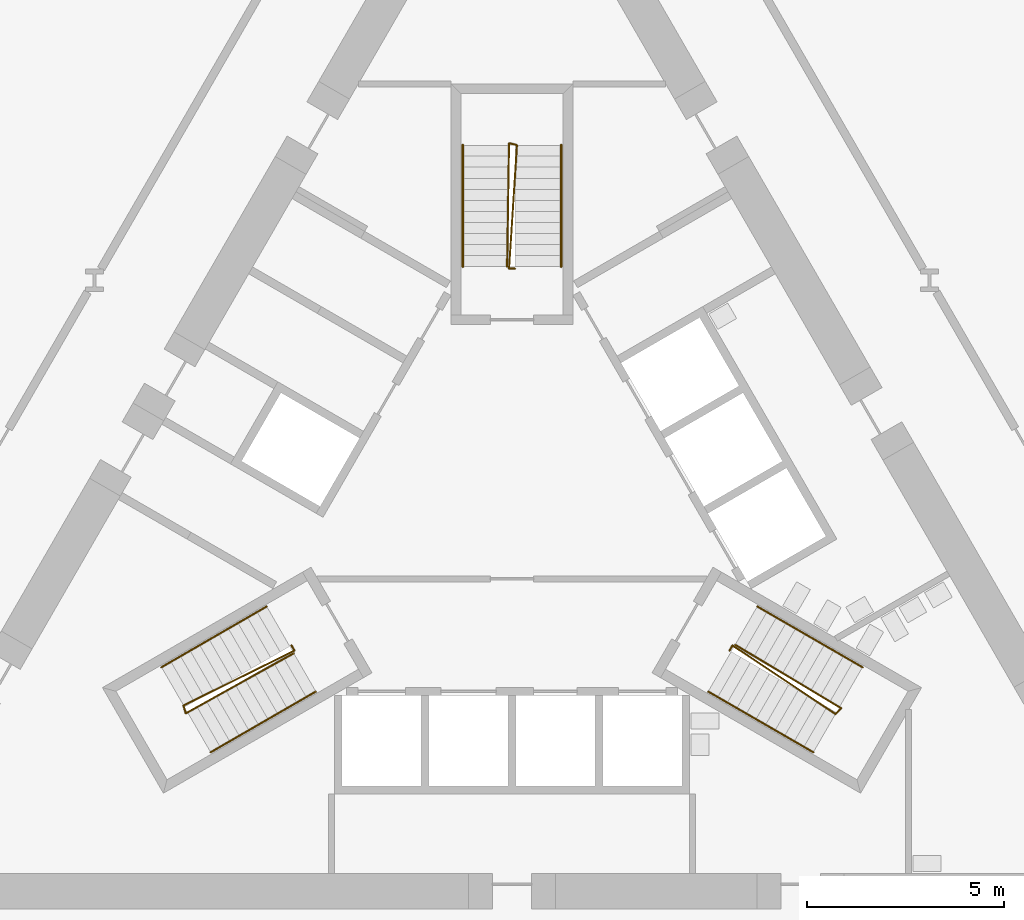
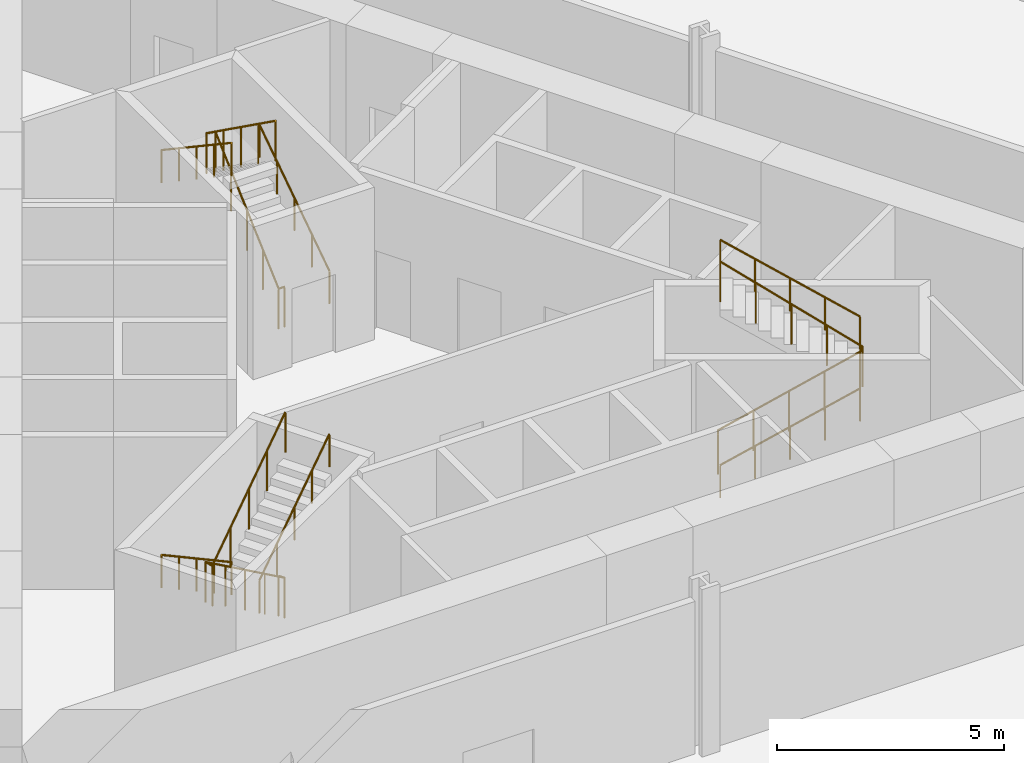
# One storey, part 6 of 8: 9 railings.
"""IFC4 building model written with IfcOpenShell, lengths in metres."""

from ifc_helpers import new_model, si_unit, direction, frame, origin, origin_2d, place, context, subcontext, project, spatial, circle, extrude, material, type_object, element, save


model = new_model("IFC4")

# Units and contexts
model_context = context("Model", 3, precision=1e-05, world=origin(), true_north=direction((0.0, 1.0)))
body_context = subcontext(model_context, "Body", "Model", "MODEL_VIEW")
ifc_project = project(units=[si_unit("LENGTHUNIT", "METRE"), si_unit("AREAUNIT", "SQUARE_METRE"), si_unit("VOLUMEUNIT", "CUBIC_METRE"), si_unit("PLANEANGLEUNIT", "RADIAN"), si_unit("MASSUNIT", "GRAM", prefix="KILO")], contexts=[model_context])

# Site, building, storey
site_placement = place(None, origin())
site = spatial("IfcSite", under=ifc_project, at=site_placement, CompositionType="ELEMENT")
building_placement = place(site_placement, origin())
building = spatial("IfcBuilding", under=site, at=building_placement, Name="Cormorant Prow Tower", CompositionType="ELEMENT")
storey_placement = place(building_placement, frame((0.0, 0.0, 25.5)))
storey = spatial("IfcBuildingStorey", under=building, at=storey_placement, Name="L04", CompositionType="ELEMENT", Elevation=25.5)

# Railings
ifc_material_1 = material(Name="Stainless steel", Category="steel")
railing_type_1 = type_object("IfcRailingType", Name="Stair guard 1100", PredefinedType="GUARDRAIL", material=ifc_material_1)
railing_1_placement = place(storey_placement, frame((-5.585205078125, -3.137939453125, 0.0)))
element("IfcRailing", 1, at=railing_1_placement, inside=storey, type_object=railing_type_1, Name="L04 ST1 stair guard 1", PredefinedType="GUARDRAIL", context=body_context, shape_type="SweptSolid", body=[
    extrude(circle(Radius=0.02392578125, at=origin_2d()), frame((0.0, 0.0, 1.076171875), z_axis=(0.501036270542, -0.865426285481, 0.0), x_axis=(0.865426285481, 0.501036270542, 0.0)), (0.0, 0.0, 1.0), 0.150146484375),
    extrude(circle(Radius=0.02392578125, at=origin_2d()), frame((0.0751953125, -0.1298828125, 1.076171875), z_axis=(-0.728167570244, -0.360573553197, 0.582888241758), x_axis=(0.443754251299, -0.896148516963, 0.0)), (0.0, 0.0, 1.0), 3.860107421875),
    extrude(circle(Radius=0.02392578125, at=origin_2d()), frame((-2.735595703125, -1.521728515625, 3.326171875), z_axis=(0.274721127897, -0.961523947641, 0.0), x_axis=(0.961523947641, 0.274721127897, 0.0)), (0.0, 0.0, 1.0), 0.2060546875),
    extrude(circle(Radius=0.02392578125, at=origin_2d()), frame((-2.678955078125, -1.719970703125, 3.326171875), z_axis=(0.709639469461, 0.394715582112, 0.583619253128), x_axis=(-0.486086505765, 0.873910698477, 0.0)), (0.0, 0.0, 1.0), 3.855224609375),
    extrude(circle(Radius=0.02099609375, at=origin_2d()), origin(), (0.0, 0.0, 1.0), 1.052001953125),
    extrude(circle(Radius=0.02099609375, at=origin_2d()), frame((0.0751953125, -0.1298828125, 0.0)), (0.0, 0.0, 1.0), 1.052001953125),
    extrude(circle(Radius=0.02099609375, at=origin_2d()), frame((-0.62744140625, -0.477783203125, 0.5625)), (0.0, 0.0, 1.0), 1.052001953125),
    extrude(circle(Radius=0.02099609375, at=origin_2d()), frame((-1.330078125, -0.82568359375, 1.125)), (0.0, 0.0, 1.0), 1.052001953125),
    extrude(circle(Radius=0.02099609375, at=origin_2d()), frame((-2.032958984375, -1.173828125, 1.6875)), (0.0, 0.0, 1.0), 1.052001953125),
    extrude(circle(Radius=0.02099609375, at=origin_2d()), frame((-2.735595703125, -1.521728515625, 2.25)), (0.0, 0.0, 1.0), 1.052001953125),
    extrude(circle(Radius=0.02099609375, at=origin_2d()), frame((-2.678955078125, -1.719970703125, 2.25)), (0.0, 0.0, 1.0), 1.052001953125),
    extrude(circle(Radius=0.02099609375, at=origin_2d()), frame((-1.9951171875, -1.339599609375, 2.8125)), (0.0, 0.0, 1.0), 1.052001953125),
    extrude(circle(Radius=0.02099609375, at=origin_2d()), frame((-1.31103515625, -0.958984375, 3.375)), (0.0, 0.0, 1.0), 1.052001953125),
    extrude(circle(Radius=0.02099609375, at=origin_2d()), frame((-0.626953125, -0.57861328125, 3.9375)), (0.0, 0.0, 1.0), 1.052001953125),
    extrude(circle(Radius=0.02099609375, at=origin_2d()), frame((0.056884765625, -0.1982421875, 4.5)), (0.0, 0.0, 1.0), 1.052001953125),
])
railing_2_placement = place(storey_placement, frame((5.510009765625, -3.267822265625, 0.0)))
element("IfcRailing", 2, at=railing_2_placement, inside=storey, type_object=railing_type_1, Name="L04 ST2 stair guard 1", PredefinedType="GUARDRAIL", context=body_context, shape_type="SweptSolid", body=[
    extrude(circle(Radius=0.02392578125, at=origin_2d()), frame((0.0, 0.0, 1.076171875), z_axis=(0.501036270542, 0.865426285481, 0.0), x_axis=(-0.865426285481, 0.501036270542, 0.0)), (0.0, 0.0, 1.0), 0.150146484375),
    extrude(circle(Radius=0.02392578125, at=origin_2d()), frame((0.0751953125, 0.1298828125, 1.076171875), z_axis=(0.676326221345, -0.450335985783, 0.582906804069), x_axis=(0.554233058506, 0.832361530141, 0.0)), (0.0, 0.0, 1.0), 3.85986328125),
    extrude(circle(Radius=0.02392578125, at=origin_2d()), frame((2.685791015625, -1.6083984375, 3.326171875), z_axis=(0.695164929852, 0.718850276695, 0.0), x_axis=(-0.718850276695, 0.695164929852, 0.0)), (0.0, 0.0, 1.0), 0.2060546875),
    extrude(circle(Radius=0.02392578125, at=origin_2d()), frame((2.8291015625, -1.460205078125, 3.326171875), z_axis=(-0.696658856337, 0.417197395286, 0.583620399964), x_axis=(-0.513773053629, -0.857926132814, 0.0)), (0.0, 0.0, 1.0), 3.855224609375),
    extrude(circle(Radius=0.02099609375, at=origin_2d()), origin(), (0.0, 0.0, 1.0), 1.052001953125),
    extrude(circle(Radius=0.02099609375, at=origin_2d()), frame((0.0751953125, 0.1298828125, 0.0)), (0.0, 0.0, 1.0), 1.052001953125),
    extrude(circle(Radius=0.02099609375, at=origin_2d()), frame((0.727783203125, -0.3046875, 0.5625)), (0.0, 0.0, 1.0), 1.052001953125),
    extrude(circle(Radius=0.02099609375, at=origin_2d()), frame((1.38037109375, -0.7392578125, 1.125)), (0.0, 0.0, 1.0), 1.052001953125),
    extrude(circle(Radius=0.02099609375, at=origin_2d()), frame((2.033203125, -1.173828125, 1.6875)), (0.0, 0.0, 1.0), 1.052001953125),
    extrude(circle(Radius=0.02099609375, at=origin_2d()), frame((2.685791015625, -1.6083984375, 2.25)), (0.0, 0.0, 1.0), 1.052001953125),
    extrude(circle(Radius=0.02099609375, at=origin_2d()), frame((2.8291015625, -1.460205078125, 2.25)), (0.0, 0.0, 1.0), 1.052001953125),
    extrude(circle(Radius=0.02099609375, at=origin_2d()), frame((2.15771484375, -1.05810546875, 2.8125)), (0.0, 0.0, 1.0), 1.052001953125),
    extrude(circle(Radius=0.02099609375, at=origin_2d()), frame((1.486328125, -0.656005859375, 3.375)), (0.0, 0.0, 1.0), 1.052001953125),
    extrude(circle(Radius=0.02099609375, at=origin_2d()), frame((0.814697265625, -0.25390625, 3.9375)), (0.0, 0.0, 1.0), 1.052001953125),
    extrude(circle(Radius=0.02099609375, at=origin_2d()), frame((0.143310546875, 0.148193359375, 4.5)), (0.0, 0.0, 1.0), 1.052001953125),
])
railing_3_placement = place(storey_placement, frame((0.074951171875, 6.40576171875, 0.0)))
element("IfcRailing", 3, at=railing_3_placement, inside=storey, type_object=railing_type_1, Name="L04 ST3 stair guard 1", PredefinedType="GUARDRAIL", context=body_context, shape_type="SweptSolid", body=[
    extrude(circle(Radius=0.02392578125, at=origin_2d()), frame((0.0, 0.0, 1.076171875), z_axis=(-1.0, 0.0, 0.0), x_axis=(0.0, -1.0, 0.0)), (0.0, 0.0, 1.0), 0.14990234375),
    extrude(circle(Radius=0.02392578125, at=origin_2d()), frame((-0.14990234375, 0.0, 1.076171875), z_axis=(0.051799821847, 0.810898065816, 0.582890302984), x_axis=(-0.997965923181, 0.063749636618, 0.0)), (0.0, 0.0, 1.0), 3.860107421875),
    extrude(circle(Radius=0.02392578125, at=origin_2d()), frame((0.050048828125, 3.130126953125, 3.326171875), z_axis=(-0.970072785993, 0.242814311512, 0.0), x_axis=(-0.242814311512, -0.970072785993, 0.0)), (0.0, 0.0, 1.0), 0.2060546875),
    extrude(circle(Radius=0.02392578125, at=origin_2d()), frame((-0.14990234375, 3.18017578125, 3.326171875), z_axis=(-0.012982103363, -0.81191974253, 0.583624705339), x_axis=(0.999872194171, -0.015987348866, 0.0)), (0.0, 0.0, 1.0), 3.855224609375),
    extrude(circle(Radius=0.02099609375, at=origin_2d()), origin(), (0.0, 0.0, 1.0), 1.052001953125),
    extrude(circle(Radius=0.02099609375, at=origin_2d()), frame((-0.14990234375, 0.0, 0.0)), (0.0, 0.0, 1.0), 1.052001953125),
    extrude(circle(Radius=0.02099609375, at=origin_2d()), frame((-0.099853515625, 0.782470703125, 0.5625)), (0.0, 0.0, 1.0), 1.052001953125),
    extrude(circle(Radius=0.02099609375, at=origin_2d()), frame((-0.0498046875, 1.56494140625, 1.125)), (0.0, 0.0, 1.0), 1.052001953125),
    extrude(circle(Radius=0.02099609375, at=origin_2d()), frame((0.0, 2.34765625, 1.6875)), (0.0, 0.0, 1.0), 1.052001953125),
    extrude(circle(Radius=0.02099609375, at=origin_2d()), frame((0.050048828125, 3.130126953125, 2.25)), (0.0, 0.0, 1.0), 1.052001953125),
    extrude(circle(Radius=0.02099609375, at=origin_2d()), frame((-0.14990234375, 3.18017578125, 2.25)), (0.0, 0.0, 1.0), 1.052001953125),
    extrude(circle(Radius=0.02099609375, at=origin_2d()), frame((-0.162353515625, 2.397705078125, 2.8125)), (0.0, 0.0, 1.0), 1.052001953125),
    extrude(circle(Radius=0.02099609375, at=origin_2d()), frame((-0.1748046875, 1.615234375, 3.375)), (0.0, 0.0, 1.0), 1.052001953125),
    extrude(circle(Radius=0.02099609375, at=origin_2d()), frame((-0.1875, 0.83251953125, 3.9375)), (0.0, 0.0, 1.0), 1.052001953125),
    extrude(circle(Radius=0.02099609375, at=origin_2d()), frame((-0.199951171875, 0.050048828125, 4.5)), (0.0, 0.0, 1.0), 1.052001953125),
])
ifc_material_2 = material(Name="Stainless steel", Category="steel")
railing_type_2 = type_object("IfcRailingType", Name="Stair handrail 900", PredefinedType="HANDRAIL", material=ifc_material_2)
railing_4_placement = place(storey_placement, frame((-6.212890625, -2.150634765625, 0.1875)))
element("IfcRailing", 4, at=railing_4_placement, inside=storey, type_object=railing_type_2, Name="L04 ST1 stair handrail 1", PredefinedType="HANDRAIL", context=body_context, shape_type="SweptSolid", body=[
    extrude(circle(Radius=0.02392578125, at=origin_2d()), frame((0.0, 0.0, 0.8759765625), z_axis=(-0.719599472079, -0.415452450108, 0.55639541828), x_axis=(0.499992328818, -0.866029832698, 0.0)), (0.0, 0.0, 1.0), 3.706787109375),
    extrude(circle(Radius=0.02099609375, at=origin_2d()), origin(), (0.0, 0.0, 1.0), 0.851806640625),
    extrude(circle(Radius=0.02099609375, at=origin_2d()), frame((-0.6669921875, -0.385009765625, 0.515625)), (0.0, 0.0, 1.0), 0.851806640625),
    extrude(circle(Radius=0.02099609375, at=origin_2d()), frame((-1.333740234375, -0.77001953125, 1.03125)), (0.0, 0.0, 1.0), 0.851806640625),
    extrude(circle(Radius=0.02099609375, at=origin_2d()), frame((-2.00048828125, -1.155029296875, 1.546875)), (0.0, 0.0, 1.0), 0.851806640625),
    extrude(circle(Radius=0.02099609375, at=origin_2d()), frame((-2.66748046875, -1.5400390625, 2.0625)), (0.0, 0.0, 1.0), 0.851806640625),
])
railing_5_placement = place(storey_placement, frame((-7.63623046875, -5.84521484375, 2.4375)))
element("IfcRailing", 5, at=railing_5_placement, inside=storey, type_object=railing_type_2, Name="L04 ST1 stair handrail 2", PredefinedType="HANDRAIL", context=body_context, shape_type="SweptSolid", body=[
    extrude(circle(Radius=0.02392578125, at=origin_2d()), frame((0.0, 0.0, 0.8759765625), z_axis=(0.719567713092, 0.415472140429, 0.556421788577), x_axis=(-0.500026652407, 0.866010015463, 0.0)), (0.0, 0.0, 1.0), 3.706787109375),
    extrude(circle(Radius=0.02099609375, at=origin_2d()), origin(), (0.0, 0.0, 1.0), 0.851806640625),
    extrude(circle(Radius=0.02099609375, at=origin_2d()), frame((0.666748046875, 0.385009765625, 0.515625)), (0.0, 0.0, 1.0), 0.851806640625),
    extrude(circle(Radius=0.02099609375, at=origin_2d()), frame((1.33349609375, 0.77001953125, 1.03125)), (0.0, 0.0, 1.0), 0.851806640625),
    extrude(circle(Radius=0.02099609375, at=origin_2d()), frame((2.00048828125, 1.155029296875, 1.546875)), (0.0, 0.0, 1.0), 0.851806640625),
    extrude(circle(Radius=0.02099609375, at=origin_2d()), frame((2.667236328125, 1.5400390625, 2.0625)), (0.0, 0.0, 1.0), 0.851806640625),
])
railing_6_placement = place(storey_placement, frame((4.968994140625, -4.30517578125, 0.1875)))
element("IfcRailing", 6, at=railing_6_placement, inside=storey, type_object=railing_type_2, Name="L04 ST2 stair handrail 1", PredefinedType="HANDRAIL", context=body_context, shape_type="SweptSolid", body=[
    extrude(circle(Radius=0.02392578125, at=origin_2d()), frame((0.0, 0.0, 0.8759765625), z_axis=(0.719567713092, -0.415472140429, 0.556421788577), x_axis=(0.500026652407, 0.866010015463, 0.0)), (0.0, 0.0, 1.0), 3.706787109375),
    extrude(circle(Radius=0.02099609375, at=origin_2d()), origin(), (0.0, 0.0, 1.0), 0.851806640625),
    extrude(circle(Radius=0.02099609375, at=origin_2d()), frame((0.666748046875, -0.385009765625, 0.515625)), (0.0, 0.0, 1.0), 0.851806640625),
    extrude(circle(Radius=0.02099609375, at=origin_2d()), frame((1.33349609375, -0.77001953125, 1.03125)), (0.0, 0.0, 1.0), 0.851806640625),
    extrude(circle(Radius=0.02099609375, at=origin_2d()), frame((2.00048828125, -1.155029296875, 1.546875)), (0.0, 0.0, 1.0), 0.851806640625),
    extrude(circle(Radius=0.02099609375, at=origin_2d()), frame((2.667236328125, -1.5400390625, 2.0625)), (0.0, 0.0, 1.0), 0.851806640625),
])
railing_7_placement = place(storey_placement, frame((8.88037109375, -3.690673828125, 2.4375)))
element("IfcRailing", 7, at=railing_7_placement, inside=storey, type_object=railing_type_2, Name="L04 ST2 stair handrail 2", PredefinedType="HANDRAIL", context=body_context, shape_type="SweptSolid", body=[
    extrude(circle(Radius=0.02392578125, at=origin_2d()), frame((0.0, 0.0, 0.8759765625), z_axis=(-0.719599472079, 0.415452450108, 0.55639541828), x_axis=(-0.499992328818, -0.866029832698, 0.0)), (0.0, 0.0, 1.0), 3.706787109375),
    extrude(circle(Radius=0.02099609375, at=origin_2d()), origin(), (0.0, 0.0, 1.0), 0.851806640625),
    extrude(circle(Radius=0.02099609375, at=origin_2d()), frame((-0.6669921875, 0.385009765625, 0.515625)), (0.0, 0.0, 1.0), 0.851806640625),
    extrude(circle(Radius=0.02099609375, at=origin_2d()), frame((-1.333740234375, 0.77001953125, 1.03125)), (0.0, 0.0, 1.0), 0.851806640625),
    extrude(circle(Radius=0.02099609375, at=origin_2d()), frame((-2.00048828125, 1.155029296875, 1.546875)), (0.0, 0.0, 1.0), 0.851806640625),
    extrude(circle(Radius=0.02099609375, at=origin_2d()), frame((-2.66748046875, 1.5400390625, 2.0625)), (0.0, 0.0, 1.0), 0.851806640625),
])
railing_8_placement = place(storey_placement, frame((1.243896484375, 6.455810546875, 0.1875)))
element("IfcRailing", 8, at=railing_8_placement, inside=storey, type_object=railing_type_2, Name="L04 ST3 stair handrail 1", PredefinedType="HANDRAIL", context=body_context, shape_type="SweptSolid", body=[
    extrude(circle(Radius=0.02392578125, at=origin_2d()), frame((0.0, 0.0, 0.8759765625), z_axis=(0.0, 0.830913701846, 0.55640131208), x_axis=(-1.0, 0.0, 0.0)), (0.0, 0.0, 1.0), 3.706787109375),
    extrude(circle(Radius=0.02099609375, at=origin_2d()), origin(), (0.0, 0.0, 1.0), 0.851806640625),
    extrude(circle(Radius=0.02099609375, at=origin_2d()), frame((0.0, 0.77001953125, 0.515625)), (0.0, 0.0, 1.0), 0.851806640625),
    extrude(circle(Radius=0.02099609375, at=origin_2d()), frame((0.0, 1.5400390625, 1.03125)), (0.0, 0.0, 1.0), 0.851806640625),
    extrude(circle(Radius=0.02099609375, at=origin_2d()), frame((0.0, 2.31005859375, 1.546875)), (0.0, 0.0, 1.0), 0.851806640625),
    extrude(circle(Radius=0.02099609375, at=origin_2d()), frame((0.0, 3.080078125, 2.0625)), (0.0, 0.0, 1.0), 0.851806640625),
])
railing_9_placement = place(storey_placement, frame((-1.243896484375, 9.535888671875, 2.4375)))
element("IfcRailing", 9, at=railing_9_placement, inside=storey, type_object=railing_type_2, Name="L04 ST3 stair handrail 2", PredefinedType="HANDRAIL", context=body_context, shape_type="SweptSolid", body=[
    extrude(circle(Radius=0.02392578125, at=origin_2d()), frame((0.0, 0.0, 0.8759765625), z_axis=(0.0, -0.830913701846, 0.55640131208), x_axis=(1.0, 0.0, 0.0)), (0.0, 0.0, 1.0), 3.706787109375),
    extrude(circle(Radius=0.02099609375, at=origin_2d()), origin(), (0.0, 0.0, 1.0), 0.851806640625),
    extrude(circle(Radius=0.02099609375, at=origin_2d()), frame((0.0, -0.77001953125, 0.515625)), (0.0, 0.0, 1.0), 0.851806640625),
    extrude(circle(Radius=0.02099609375, at=origin_2d()), frame((0.0, -1.5400390625, 1.03125)), (0.0, 0.0, 1.0), 0.851806640625),
    extrude(circle(Radius=0.02099609375, at=origin_2d()), frame((0.0, -2.31005859375, 1.546875)), (0.0, 0.0, 1.0), 0.851806640625),
    extrude(circle(Radius=0.02099609375, at=origin_2d()), frame((0.0, -3.080078125, 2.0625)), (0.0, 0.0, 1.0), 0.851806640625),
])

save(model, "model.ifc")
